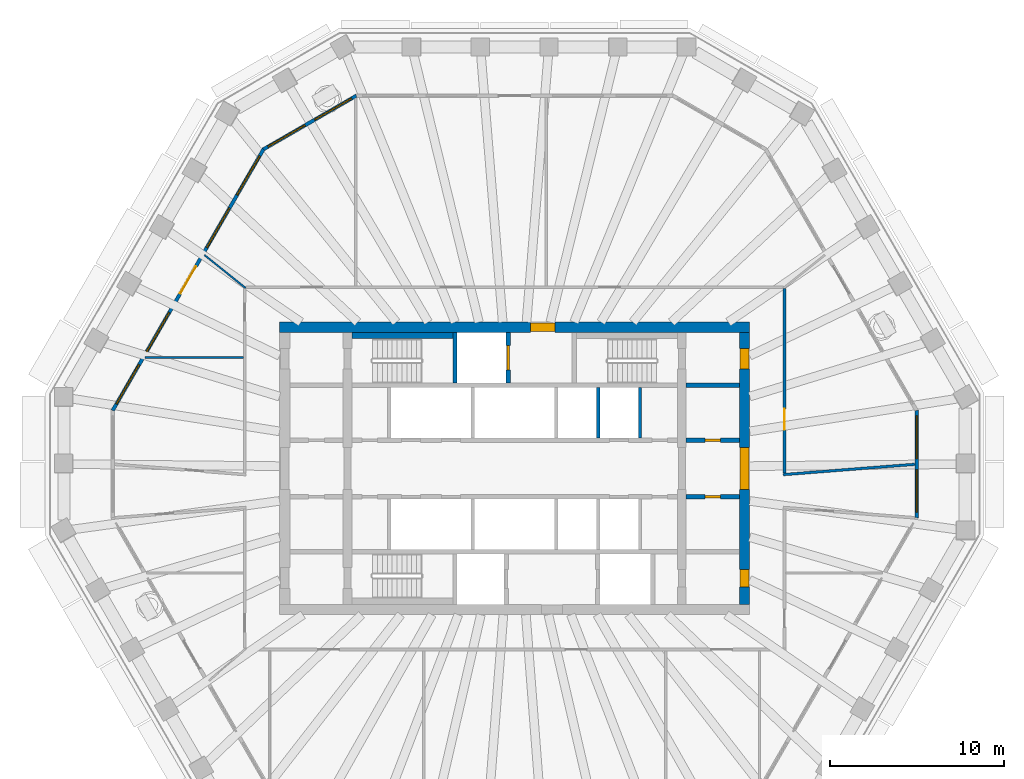
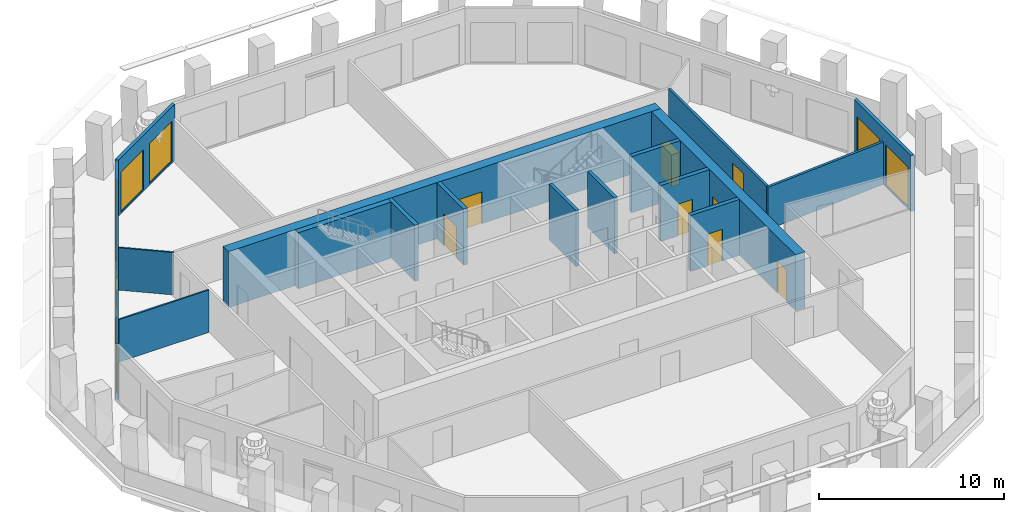
# One storey, part 6 of 12: 17 walls, 9 doors, 9 windows, 18 openings.
"""IFC4 building model written with IfcOpenShell, lengths in metres."""

from ifc_helpers import new_model, si_unit, direction, frame, frame_2d, origin, place, context, subcontext, project, spatial, polyline, rectangle, outline, extrude, material, layer, layer_set, type_object, element, fill, save


model = new_model("IFC4")

# Units and contexts
model_context = context("Model", 3, precision=1e-05, world=origin(), true_north=direction((0.0, 1.0)))
body_context = subcontext(model_context, "Body", "Model", "MODEL_VIEW")
ifc_project = project(units=[si_unit("LENGTHUNIT", "METRE"), si_unit("AREAUNIT", "SQUARE_METRE"), si_unit("VOLUMEUNIT", "CUBIC_METRE"), si_unit("PLANEANGLEUNIT", "RADIAN"), si_unit("MASSUNIT", "GRAM", prefix="KILO")], contexts=[model_context])

# Site, building, storey
site_placement = place(None, origin())
site = spatial("IfcSite", under=ifc_project, at=site_placement, CompositionType="ELEMENT")
building_placement = place(site_placement, origin())
building = spatial("IfcBuilding", under=site, at=building_placement, Name="Frailejon Research Tower", CompositionType="ELEMENT")
storey_placement = place(building_placement, frame((0.0, 0.0, 219.39990234375)))
storey = spatial("IfcBuildingStorey", under=building, at=storey_placement, Name="L47", CompositionType="ELEMENT", Elevation=219.39990234375)

# Wall, opening, door
ifc_material_1 = material(Name="Concrete C60/75", Category="concrete")
ifc_layer_1 = layer(ifc_material_1, 0.60009765625)
ifc_layer_set_1 = layer_set([ifc_layer_1], Name="Core shear wall 600 C60/75")
wall_type_1 = type_object("IfcWallType", Name="Core shear wall 600 C60/75", PredefinedType="SHEAR", material=ifc_layer_set_1)
wall_1_placement = place(storey_placement, frame((-13.5, 8.10009765625, 0.0), z_axis=(0.0, 0.0, 1.0), x_axis=(1.0, 0.0, 0.0)))
wall_1 = element("IfcWall", 1, at=wall_1_placement, inside=storey, type_object=wall_type_1, Name="Core shear wall", PredefinedType="SHEAR", context=body_context, shape_type="SweptSolid", body=[
    extrude(rectangle(XDim=27.0, YDim=0.60009765625, at=frame_2d((13.5, 0.0))), origin(), (0.0, 0.0, 1.0), 3.7001953125),
])
opening_1_placement = place(wall_1_placement, frame((14.425048828125, 0.0, 0.0)))
opening_1 = element("IfcOpeningElement", 2, at=opening_1_placement, cuts=wall_1, Name="Opening D9", PredefinedType="OPENING", context=body_context, shape_type="SweptSolid", body=[
    extrude(rectangle(XDim=1.39990234375, YDim=2.10009765625, at=frame_2d((0.699951171875, 1.050048828125))), frame((0.0, 0.31005859375, 0.0), z_axis=(0.0, -1.0, 0.0), x_axis=(1.0, 0.0, 0.0)), (0.0, 0.0, 1.0), 0.6201171875),
])
ifc_material_2 = material(Name="Steel", Category="steel")
door_type_1 = type_object("IfcDoorType", Name="Goods lobby door", OperationType="DOUBLE_DOOR_SINGLE_SWING", PredefinedType="DOOR", material=ifc_material_2)
door_1_placement = place(opening_1_placement, origin())
door_1 = element("IfcDoor", 3, at=door_1_placement, inside=storey, type_object=door_type_1, Name="Goods lobby door", OperationType="DOUBLE_DOOR_SINGLE_SWING", OverallHeight=2.10009765625, OverallWidth=1.39990234375, PredefinedType="DOOR", context=body_context, shape_type="SweptSolid", body=[
    extrude(rectangle(XDim=1.39990234375, YDim=2.10009765625, at=frame_2d((0.699951171875, 1.050048828125))), frame((0.0, 0.25, 0.0), z_axis=(0.0, -1.0, 0.0), x_axis=(1.0, 0.0, 0.0)), (0.0, 0.0, 1.0), 0.5),
])
fill(opening_1, door_1)

# Wall, openings, doors
wall_2_placement = place(storey_placement, frame((13.199951171875, -7.800048828125, 0.0), z_axis=(0.0, 0.0, 1.0), x_axis=(0.0, 1.0, 0.0)))
wall_2 = element("IfcWall", 4, at=wall_2_placement, inside=storey, type_object=wall_type_1, Name="Core shear wall", PredefinedType="SHEAR", context=body_context, shape_type="SweptSolid", body=[
    extrude(rectangle(XDim=15.60009765625, YDim=0.60009765625, at=frame_2d((7.800048828125, 0.0))), origin(), (0.0, 0.0, 1.0), 3.7001953125),
])
opening_2_placement = place(wall_2_placement, frame((6.60009765625, 0.0, 0.0)))
opening_2 = element("IfcOpeningElement", 5, at=opening_2_placement, cuts=wall_2, Name="Opening D2", PredefinedType="OPENING", context=body_context, shape_type="SweptSolid", body=[
    extrude(rectangle(XDim=2.39990234375, YDim=2.10009765625, at=frame_2d((1.199951171875, 1.050048828125))), frame((0.0, 0.31005859375, 0.0), z_axis=(0.0, -1.0, 0.0), x_axis=(1.0, 0.0, 0.0)), (0.0, 0.0, 1.0), 0.6201171875),
])
opening_3_placement = place(wall_2_placement, frame((13.5, 0.0, 0.0)))
opening_3 = element("IfcOpeningElement", 6, at=opening_3_placement, cuts=wall_2, Name="Opening D7", PredefinedType="OPENING", context=body_context, shape_type="SweptSolid", body=[
    extrude(rectangle(XDim=1.199951171875, YDim=2.10009765625, at=frame_2d((0.60009765625, 1.050048828125))), frame((0.0, 0.31005859375, 0.0), z_axis=(0.0, -1.0, 0.0), x_axis=(1.0, 0.0, 0.0)), (0.0, 0.0, 1.0), 0.6201171875),
])
opening_4_placement = place(wall_2_placement, frame((1.0, 0.0, 0.0)))
opening_4 = element("IfcOpeningElement", 7, at=opening_4_placement, cuts=wall_2, Name="Opening D4", PredefinedType="OPENING", context=body_context, shape_type="SweptSolid", body=[
    extrude(rectangle(XDim=1.0, YDim=2.10009765625, at=frame_2d((0.5, 1.050048828125))), frame((0.0, 0.31005859375, 0.0), z_axis=(0.0, -1.0, 0.0), x_axis=(1.0, 0.0, 0.0)), (0.0, 0.0, 1.0), 0.6201171875),
])
ifc_material_3 = material(Name="Steel", Category="steel")
door_type_2 = type_object("IfcDoorType", Name="Lobby double door", OperationType="DOUBLE_DOOR_SINGLE_SWING", PredefinedType="DOOR", material=ifc_material_3)
door_2_placement = place(opening_2_placement, origin())
door_2 = element("IfcDoor", 8, at=door_2_placement, inside=storey, type_object=door_type_2, Name="Lobby door", OperationType="DOUBLE_DOOR_SINGLE_SWING", OverallHeight=2.10009765625, OverallWidth=2.39990234375, PredefinedType="DOOR", context=body_context, shape_type="SweptSolid", body=[
    extrude(rectangle(XDim=2.39990234375, YDim=2.10009765625, at=frame_2d((1.199951171875, 1.050048828125))), frame((0.0, 0.25, 0.0), z_axis=(0.0, -1.0, 0.0), x_axis=(1.0, 0.0, 0.0)), (0.0, 0.0, 1.0), 0.5),
])
fill(opening_2, door_2)
ifc_material_4 = material(Name="Steel", Category="steel")
door_type_3 = type_object("IfcDoorType", Name="Service door", OperationType="SINGLE_SWING_LEFT", PredefinedType="DOOR", material=ifc_material_4)
door_3_placement = place(opening_4_placement, origin())
door_3 = element("IfcDoor", 9, at=door_3_placement, inside=storey, type_object=door_type_3, Name="Store door", OperationType="SINGLE_SWING_LEFT", OverallHeight=2.10009765625, OverallWidth=1.0, PredefinedType="DOOR", context=body_context, shape_type="SweptSolid", body=[
    extrude(rectangle(XDim=1.0, YDim=2.10009765625, at=frame_2d((0.5, 1.050048828125))), frame((0.0, 0.25, 0.0), z_axis=(0.0, -1.0, 0.0), x_axis=(1.0, 0.0, 0.0)), (0.0, 0.0, 1.0), 0.5),
])
fill(opening_4, door_3)
ifc_material_5 = material(Name="Steel", Category="steel")
door_type_4 = type_object("IfcDoorType", Name="Stair exit door", OperationType="SINGLE_SWING_LEFT", PredefinedType="DOOR", material=ifc_material_5)
door_4_placement = place(opening_3_placement, origin())
door_4 = element("IfcDoor", 10, at=door_4_placement, inside=storey, type_object=door_type_4, Name="Stair exit door ST3", OperationType="SINGLE_SWING_LEFT", OverallHeight=2.10009765625, OverallWidth=1.199951171875, PredefinedType="DOOR", context=body_context, shape_type="SweptSolid", body=[
    extrude(rectangle(XDim=1.199951171875, YDim=2.10009765625, at=frame_2d((0.60009765625, 1.050048828125))), frame((0.0, 0.25, 0.0), z_axis=(0.0, -1.0, 0.0), x_axis=(1.0, 0.0, 0.0)), (0.0, 0.0, 1.0), 0.5),
])
fill(opening_3, door_4)

# Wall, opening, door
ifc_material_6 = material(Name="Gypsum board and masonry partition", Category="masonry")
ifc_layer_2 = layer(ifc_material_6, 0.14990234375)
ifc_layer_set_2 = layer_set([ifc_layer_2], Name="Corridor wall EI 60, gypsum on steel studs 150")
wall_type_2 = type_object("IfcWallType", Name="Corridor wall EI 60, gypsum on steel studs 150", PredefinedType="PARTITIONING", material=ifc_layer_set_2)
wall_3_placement = place(storey_placement, frame((15.5, -0.275146484375, 0.0), z_axis=(0.0, 0.0, 1.0), x_axis=(0.0, 1.0, 0.0)))
wall_3 = element("IfcWall", 11, at=wall_3_placement, inside=storey, type_object=wall_type_2, Name="T:IW:L47:002", PredefinedType="PARTITIONING", context=body_context, shape_type="SweptSolid", body=[
    extrude(rectangle(XDim=10.60009765625, YDim=0.14990234375, at=frame_2d((5.300048828125, 0.0))), origin(), (0.0, 0.0, 1.0), 2.800048828125),
])
opening_5_placement = place(wall_3_placement, frame((2.487548828125, 0.0, 0.0)))
opening_5 = element("IfcOpeningElement", 12, at=opening_5_placement, cuts=wall_3, Name="Opening D1962", PredefinedType="OPENING", context=body_context, shape_type="SweptSolid", body=[
    extrude(rectangle(XDim=1.199951171875, YDim=2.10009765625, at=frame_2d((0.60009765625, 1.050048828125))), frame((0.0, 0.0849609375, 0.0), z_axis=(0.0, -1.0, 0.0), x_axis=(1.0, 0.0, 0.0)), (0.0, 0.0, 1.0), 0.169921875),
])
ifc_material_7 = material(Name="Timber door leaf", Category="wood")
door_type_5 = type_object("IfcDoorType", Name="Door single leaf, timber, steel frame 1200", OperationType="NOTDEFINED", PredefinedType="DOOR", material=ifc_material_7)
door_5_placement = place(opening_5_placement, origin())
door_5 = element("IfcDoor", 13, at=door_5_placement, inside=storey, type_object=door_type_5, Name="D1962", OperationType="DOUBLE_DOOR_SINGLE_SWING", OverallHeight=2.10009765625, OverallWidth=1.199951171875, PredefinedType="DOOR", context=body_context, shape_type="SweptSolid", body=[
    extrude(rectangle(XDim=1.199951171875, YDim=2.10009765625, at=frame_2d((0.60009765625, 1.050048828125))), frame((0.0, 0.02490234375, 0.0), z_axis=(0.0, -1.0, 0.0), x_axis=(1.0, 0.0, 0.0)), (0.0, 0.0, 1.0), 0.050048828125),
])
fill(opening_5, door_5)

# Walls
wall_4_placement = place(storey_placement, frame((15.42529296875, -0.356201171875, 0.0), z_axis=(0.0, 0.0, 1.0), x_axis=(0.996945465272, 0.078100827607, 0.0)))
element("IfcWall", 14, at=wall_4_placement, inside=storey, type_object=wall_type_2, Name="T:IW:L47:009", PredefinedType="PARTITIONING", context=body_context, shape_type="SweptSolid", body=[
    extrude(rectangle(XDim=7.577392578125, YDim=0.14990234375, at=frame_2d((3.78857421875, 0.0))), origin(), (0.0, 0.0, 1.0), 2.800048828125),
])
ifc_material_8 = material(Name="Gypsum board and masonry partition", Category="masonry")
ifc_layer_3 = layer(ifc_material_8, 0.10009765625)
ifc_layer_set_3 = layer_set([ifc_layer_3], Name="Partition, gypsum on steel studs 100")
wall_type_3 = type_object("IfcWallType", Name="Partition, gypsum on steel studs 100", PredefinedType="PARTITIONING", material=ifc_layer_set_3)
wall_5_placement = place(storey_placement, frame((-17.81103515625, 12.25341796875, 0.0), z_axis=(0.0, 0.0, 1.0), x_axis=(0.78011546614, -0.625635564438, 0.0)))
element("IfcWall", 15, at=wall_5_placement, inside=storey, type_object=wall_type_3, Name="T:IW:L47:016", PredefinedType="PARTITIONING", context=body_context, shape_type="SweptSolid", body=[
    extrude(rectangle(XDim=3.03759765625, YDim=0.10009765625, at=frame_2d((1.518798828125, 0.0))), origin(), (0.0, 0.0, 1.0), 2.800048828125),
])
wall_6_placement = place(storey_placement, frame((-21.211669921875, 6.363037109375, 0.0), z_axis=(0.0, 0.0, 1.0), x_axis=(1.0, 0.0, 0.0)))
element("IfcWall", 16, at=wall_6_placement, inside=storey, type_object=wall_type_3, Name="T:IW:L47:017", PredefinedType="PARTITIONING", context=body_context, shape_type="SweptSolid", body=[
    extrude(rectangle(XDim=5.63671875, YDim=0.10009765625, at=frame_2d((2.818359375, 0.0))), origin(), (0.0, 0.0, 1.0), 2.800048828125),
])
ifc_material_9 = material(Name="Concrete C60/75", Category="concrete")
ifc_layer_4 = layer(ifc_material_9, 0.199951171875)
ifc_layer_set_4 = layer_set([ifc_layer_4], Name="Shaft wall 200 C60/75")
wall_type_4 = type_object("IfcWallType", Name="Shaft wall 200 C60/75", PredefinedType="SOLIDWALL", material=ifc_layer_set_4)
for number, where, z_axis, x_axis, name in (
    (17, (4.800048828125, 1.75, 0.0), (0.0, 0.0, 1.0), (0.0, 1.0, 0.0), "Shaft wall"),
    (18, (7.199951171875, 1.75, 0.0), (0.0, 0.0, 1.0), (0.0, 1.0, 0.0), "Shaft wall"),
):
    element("IfcWall", number, at=place(storey_placement, frame(where, z_axis=z_axis, x_axis=x_axis)), inside=storey, type_object=wall_type_4, Name=name, PredefinedType="SOLIDWALL", context=body_context, shape_type="SweptSolid", body=[
        extrude(rectangle(XDim=2.89990234375, YDim=0.199951171875, at=frame_2d((1.449951171875, 0.0))), origin(), (0.0, 0.0, 1.0), 3.7001953125),
    ])

# Wall, opening, door
ifc_material_10 = material(Name="Concrete C60/75", Category="concrete")
ifc_layer_5 = layer(ifc_material_10, 0.25)
ifc_layer_set_5 = layer_set([ifc_layer_5], Name="Shaft wall 250 C60/75")
wall_type_5 = type_object("IfcWallType", Name="Shaft wall 250 C60/75", PredefinedType="SOLIDWALL", material=ifc_layer_set_5)
wall_7_placement = place(storey_placement, frame((9.85009765625, 1.625, 0.0), z_axis=(0.0, 0.0, 1.0), x_axis=(1.0, 0.0, 0.0)))
wall_7 = element("IfcWall", 19, at=wall_7_placement, inside=storey, type_object=wall_type_5, Name="Shaft wall", PredefinedType="SOLIDWALL", context=body_context, shape_type="SweptSolid", body=[
    extrude(rectangle(XDim=3.0498046875, YDim=0.25, at=frame_2d((1.52490234375, 0.0))), origin(), (0.0, 0.0, 1.0), 3.7001953125),
])
opening_6_placement = place(wall_7_placement, frame((1.074951171875, 0.0, 0.0)))
opening_6 = element("IfcOpeningElement", 20, at=opening_6_placement, cuts=wall_7, Name="Opening D8", PredefinedType="OPENING", context=body_context, shape_type="SweptSolid", body=[
    extrude(rectangle(XDim=0.89990234375, YDim=2.10009765625, at=frame_2d((0.449951171875, 1.050048828125))), frame((0.0, 0.135009765625, 0.0), z_axis=(0.0, -1.0, 0.0), x_axis=(1.0, 0.0, 0.0)), (0.0, 0.0, 1.0), 0.27001953125),
])
ifc_material_11 = material(Name="Steel", Category="steel")
door_type_6 = type_object("IfcDoorType", Name="Core room door", OperationType="SINGLE_SWING_LEFT", PredefinedType="DOOR", material=ifc_material_11)
door_6_placement = place(opening_6_placement, origin())
door_6 = element("IfcDoor", 21, at=door_6_placement, inside=storey, type_object=door_type_6, Name="Room door", OperationType="SINGLE_SWING_LEFT", OverallHeight=2.10009765625, OverallWidth=0.89990234375, PredefinedType="DOOR", context=body_context, shape_type="SweptSolid", body=[
    extrude(rectangle(XDim=0.89990234375, YDim=2.10009765625, at=frame_2d((0.449951171875, 1.050048828125))), frame((0.0, 0.074951171875, 0.0), z_axis=(0.0, -1.0, 0.0), x_axis=(1.0, 0.0, 0.0)), (0.0, 0.0, 1.0), 0.14990234375),
])
fill(opening_6, door_6)

# Wall
wall_8_placement = place(storey_placement, frame((9.85009765625, 4.77490234375, 0.0), z_axis=(0.0, 0.0, 1.0), x_axis=(1.0, 0.0, 0.0)))
element("IfcWall", 22, at=wall_8_placement, inside=storey, type_object=wall_type_5, Name="Shaft wall", PredefinedType="SOLIDWALL", context=body_context, shape_type="SweptSolid", body=[
    extrude(rectangle(XDim=3.0498046875, YDim=0.25, at=frame_2d((1.52490234375, 0.0))), origin(), (0.0, 0.0, 1.0), 3.7001953125),
])

# Wall, opening, door
wall_9_placement = place(storey_placement, frame((9.85009765625, -1.625, 0.0), z_axis=(0.0, 0.0, 1.0), x_axis=(1.0, 0.0, 0.0)))
wall_9 = element("IfcWall", 23, at=wall_9_placement, inside=storey, type_object=wall_type_5, Name="Shaft wall", PredefinedType="SOLIDWALL", context=body_context, shape_type="SweptSolid", body=[
    extrude(rectangle(XDim=3.0498046875, YDim=0.25, at=frame_2d((1.52490234375, 0.0))), origin(), (0.0, 0.0, 1.0), 3.7001953125),
])
opening_7_placement = place(wall_9_placement, frame((1.074951171875, 0.0, 0.0)))
opening_7 = element("IfcOpeningElement", 24, at=opening_7_placement, cuts=wall_9, Name="Opening D8", PredefinedType="OPENING", context=body_context, shape_type="SweptSolid", body=[
    extrude(rectangle(XDim=0.89990234375, YDim=2.10009765625, at=frame_2d((0.449951171875, 1.050048828125))), frame((0.0, 0.135009765625, 0.0), z_axis=(0.0, -1.0, 0.0), x_axis=(1.0, 0.0, 0.0)), (0.0, 0.0, 1.0), 0.27001953125),
])
door_7_placement = place(opening_7_placement, origin())
door_7 = element("IfcDoor", 25, at=door_7_placement, inside=storey, type_object=door_type_6, Name="Room door", OperationType="SINGLE_SWING_LEFT", OverallHeight=2.10009765625, OverallWidth=0.89990234375, PredefinedType="DOOR", context=body_context, shape_type="SweptSolid", body=[
    extrude(rectangle(XDim=0.89990234375, YDim=2.10009765625, at=frame_2d((0.449951171875, 1.050048828125))), frame((0.0, 0.074951171875, 0.0), z_axis=(0.0, -1.0, 0.0), x_axis=(1.0, 0.0, 0.0)), (0.0, 0.0, 1.0), 0.14990234375),
])
fill(opening_7, door_7)

# Wall
wall_10_placement = place(storey_placement, frame((-3.425048828125, 4.89990234375, 0.0), z_axis=(0.0, 0.0, 1.0), x_axis=(0.0, 1.0, 0.0)))
element("IfcWall", 26, at=wall_10_placement, inside=storey, type_object=wall_type_5, Name="Shaft wall", PredefinedType="SOLIDWALL", context=body_context, shape_type="SweptSolid", body=[
    extrude(rectangle(XDim=2.900146484375, YDim=0.25, at=frame_2d((1.4501953125, 0.0))), origin(), (0.0, 0.0, 1.0), 3.7001953125),
])

# Wall, opening, door
wall_11_placement = place(storey_placement, frame((-0.375, 4.89990234375, 0.0), z_axis=(0.0, 0.0, 1.0), x_axis=(0.0, 1.0, 0.0)))
wall_11 = element("IfcWall", 27, at=wall_11_placement, inside=storey, type_object=wall_type_5, Name="Shaft wall", PredefinedType="SOLIDWALL", context=body_context, shape_type="SweptSolid", body=[
    extrude(rectangle(XDim=2.900146484375, YDim=0.25, at=frame_2d((1.4501953125, 0.0))), origin(), (0.0, 0.0, 1.0), 3.7001953125),
])
opening_8_placement = place(wall_11_placement, frame((0.75, 0.0, 0.0)))
opening_8 = element("IfcOpeningElement", 28, at=opening_8_placement, cuts=wall_11, Name="Opening LD2", PredefinedType="OPENING", context=body_context, shape_type="SweptSolid", body=[
    extrude(rectangle(XDim=1.39990234375, YDim=2.10009765625, at=frame_2d((0.699951171875, 1.050048828125))), frame((0.0, 0.135009765625, 0.0), z_axis=(0.0, -1.0, 0.0), x_axis=(1.0, 0.0, 0.0)), (0.0, 0.0, 1.0), 0.27001953125),
])
ifc_material_12 = material(Name="Stainless steel", Category="steel")
door_type_7 = type_object("IfcDoorType", Name="Goods landing door", OperationType="DOUBLE_DOOR_SLIDING", PredefinedType="DOOR", material=ifc_material_12)
door_8_placement = place(opening_8_placement, origin())
door_8 = element("IfcDoor", 29, at=door_8_placement, inside=storey, type_object=door_type_7, Name="Lift landing door", OperationType="DOUBLE_DOOR_SLIDING", OverallHeight=2.10009765625, OverallWidth=1.39990234375, PredefinedType="DOOR", context=body_context, shape_type="SweptSolid", body=[
    extrude(rectangle(XDim=1.39990234375, YDim=2.10009765625, at=frame_2d((0.699951171875, 1.050048828125))), frame((0.0, 0.074951171875, 0.0), z_axis=(0.0, -1.0, 0.0), x_axis=(1.0, 0.0, 0.0)), (0.0, 0.0, 1.0), 0.14990234375),
])
fill(opening_8, door_8)

# Wall
ifc_material_13 = material(Name="Concrete C60/75", Category="concrete")
ifc_layer_6 = layer(ifc_material_13, 0.35009765625)
ifc_layer_set_6 = layer_set([ifc_layer_6], Name="Shaft wall 350 C60/75")
wall_type_6 = type_object("IfcWallType", Name="Shaft wall 350 C60/75", PredefinedType="SOLIDWALL", material=ifc_layer_set_6)
wall_12_placement = place(storey_placement, frame((-9.35009765625, 7.625, 0.0), z_axis=(0.0, 0.0, 1.0), x_axis=(1.0, 0.0, 0.0)))
element("IfcWall", 30, at=wall_12_placement, inside=storey, type_object=wall_type_6, Name="Shaft wall", PredefinedType="SOLIDWALL", context=body_context, shape_type="SweptSolid", body=[
    extrude(rectangle(XDim=5.800048828125, YDim=0.35009765625, at=frame_2d((2.89990234375, 0.0))), origin(), (0.0, 0.0, 1.0), 3.7001953125),
])

# Wall, openings, windows
ifc_material_14 = material(Name="Concrete C40/50 precast window wall panel", Category="concrete")
ifc_layer_7 = layer(ifc_material_14, 0.199951171875)
ifc_layer_set_7 = layer_set([ifc_layer_7], Name="Window wall 200")
wall_type_7 = type_object("IfcWallType", Name="Window wall 200", PredefinedType="SOLIDWALL", material=ifc_layer_set_7)
wall_13_placement = place(storey_placement, frame((23.07958984375, -2.8251953125, 0.0), z_axis=(0.0, 0.0, 1.0), x_axis=(0.0, 1.0, 0.0)))
wall_13 = element("IfcWall", 31, at=wall_13_placement, inside=storey, type_object=wall_type_7, Name="Exterior wall L47", PredefinedType="SOLIDWALL", context=body_context, shape_type="SweptSolid", body=[
    extrude(outline(polyline([(-0.02685546875, -0.10009765625), (1.007568359375, -0.10009765625), (2.0419921875, -0.10009765625), (3.07666015625, -0.10009765625), (4.111083984375, -0.10009765625), (5.1455078125, -0.10009765625), (6.179931640625, -0.10009765625), (6.126220703125, 0.10009765625), (5.109619140625, 0.10009765625), (4.093017578125, 0.10009765625), (3.07666015625, 0.10009765625), (2.06005859375, 0.10009765625), (1.04345703125, 0.10009765625), (0.02685546875, 0.10009765625), (-0.02685546875, -0.10009765625)])), origin(), (0.0, 0.0, 1.0), 3.7001953125),
])
opening_9_placement = place(wall_13_placement, frame((0.313232421875, 0.0, 0.10009765625)))
opening_9 = element("IfcOpeningElement", 32, at=opening_9_placement, cuts=wall_13, Name="Opening W17", PredefinedType="OPENING", context=body_context, shape_type="SweptSolid", body=[
    extrude(rectangle(XDim=2.449951171875, YDim=2.64990234375, at=frame_2d((1.22509765625, 1.324951171875))), frame((0.0, 0.10986328125, 0.0), z_axis=(0.0, -1.0, 0.0), x_axis=(1.0, 0.0, 0.0)), (0.0, 0.0, 1.0), 0.219970703125),
])
opening_10_placement = place(wall_13_placement, frame((3.3896484375, 0.0, 0.10009765625)))
opening_10 = element("IfcOpeningElement", 33, at=opening_10_placement, cuts=wall_13, Name="Opening W17", PredefinedType="OPENING", context=body_context, shape_type="SweptSolid", body=[
    extrude(rectangle(XDim=2.449951171875, YDim=2.64990234375, at=frame_2d((1.22509765625, 1.324951171875))), frame((0.0, 0.10986328125, 0.0), z_axis=(0.0, -1.0, 0.0), x_axis=(1.0, 0.0, 0.0)), (0.0, 0.0, 1.0), 0.219970703125),
])
ifc_material_15 = material(Name="Aluminium framed double glazing", Category="aluminium")
window_type_1 = type_object("IfcWindowType", Name="Window 2450x2650", PartitioningType="SINGLE_PANEL", PredefinedType="WINDOW", material=ifc_material_15)
window_1_placement = place(opening_9_placement, origin())
window_1 = element("IfcWindow", 34, at=window_1_placement, inside=storey, type_object=window_type_1, Name="Window L47", OverallHeight=2.64990234375, OverallWidth=2.449951171875, PartitioningType="SINGLE_PANEL", PredefinedType="WINDOW", context=body_context, shape_type="SweptSolid", body=[
    extrude(rectangle(XDim=2.449951171875, YDim=2.64990234375, at=frame_2d((1.22509765625, 1.324951171875))), frame((0.0, 0.030029296875, 0.0), z_axis=(0.0, -1.0, 0.0), x_axis=(1.0, 0.0, 0.0)), (0.0, 0.0, 1.0), 0.06005859375),
])
fill(opening_9, window_1)
window_2_placement = place(opening_10_placement, origin())
window_2 = element("IfcWindow", 35, at=window_2_placement, inside=storey, type_object=window_type_1, Name="Window L47", OverallHeight=2.64990234375, OverallWidth=2.449951171875, PartitioningType="SINGLE_PANEL", PredefinedType="WINDOW", context=body_context, shape_type="SweptSolid", body=[
    extrude(rectangle(XDim=2.449951171875, YDim=2.64990234375, at=frame_2d((1.22509765625, 1.324951171875))), frame((0.0, 0.030029296875, 0.0), z_axis=(0.0, -1.0, 0.0), x_axis=(1.0, 0.0, 0.0)), (0.0, 0.0, 1.0), 0.06005859375),
])
fill(opening_10, window_2)

wall_14_placement = place(storey_placement, frame((-9.09326171875, 21.39990234375, 0.0), z_axis=(0.0, 0.0, 1.0), x_axis=(-0.866029647142, -0.499992650217, 0.0)))
wall_14 = element("IfcWall", 36, at=wall_14_placement, inside=storey, type_object=wall_type_7, Name="Exterior wall L47", PredefinedType="SOLIDWALL", context=body_context, shape_type="SweptSolid", body=[
    extrude(outline(polyline([(-0.02685546875, -0.10009765625), (1.007568359375, -0.10009765625), (2.0419921875, -0.10009765625), (3.076416015625, -0.10009765625), (4.11083984375, -0.10009765625), (5.145263671875, -0.10009765625), (6.1796875, -0.10009765625), (6.1259765625, 0.10009765625), (5.109375, 0.10009765625), (4.093017578125, 0.10009765625), (3.076416015625, 0.10009765625), (2.059814453125, 0.10009765625), (1.04345703125, 0.10009765625), (0.02685546875, 0.10009765625), (-0.02685546875, -0.10009765625)])), origin(), (0.0, 0.0, 1.0), 3.7001953125),
])
opening_11_placement = place(wall_14_placement, frame((0.313232421875, 0.0, 0.10009765625)))
opening_11 = element("IfcOpeningElement", 37, at=opening_11_placement, cuts=wall_14, Name="Opening W17", PredefinedType="OPENING", context=body_context, shape_type="SweptSolid", body=[
    extrude(rectangle(XDim=2.449951171875, YDim=2.64990234375, at=frame_2d((1.22509765625, 1.324951171875))), frame((0.0, 0.10986328125, 0.0), z_axis=(0.0, -1.0, 0.0), x_axis=(1.0, 0.0, 0.0)), (0.0, 0.0, 1.0), 0.219970703125),
])
opening_12_placement = place(wall_14_placement, frame((3.3896484375, 0.0, 0.10009765625)))
opening_12 = element("IfcOpeningElement", 38, at=opening_12_placement, cuts=wall_14, Name="Opening W17", PredefinedType="OPENING", context=body_context, shape_type="SweptSolid", body=[
    extrude(rectangle(XDim=2.449951171875, YDim=2.64990234375, at=frame_2d((1.22509765625, 1.324951171875))), frame((0.0, 0.10986328125, 0.0), z_axis=(0.0, -1.0, 0.0), x_axis=(1.0, 0.0, 0.0)), (0.0, 0.0, 1.0), 0.219970703125),
])
window_3_placement = place(opening_11_placement, origin())
window_3 = element("IfcWindow", 39, at=window_3_placement, inside=storey, type_object=window_type_1, Name="Window L47", OverallHeight=2.64990234375, OverallWidth=2.449951171875, PartitioningType="SINGLE_PANEL", PredefinedType="WINDOW", context=body_context, shape_type="SweptSolid", body=[
    extrude(rectangle(XDim=2.449951171875, YDim=2.64990234375, at=frame_2d((1.22509765625, 1.324951171875))), frame((0.0, 0.030029296875, 0.0), z_axis=(0.0, -1.0, 0.0), x_axis=(1.0, 0.0, 0.0)), (0.0, 0.0, 1.0), 0.06005859375),
])
fill(opening_11, window_3)
window_4_placement = place(opening_12_placement, origin())
window_4 = element("IfcWindow", 40, at=window_4_placement, inside=storey, type_object=window_type_1, Name="Window L47", OverallHeight=2.64990234375, OverallWidth=2.449951171875, PartitioningType="SINGLE_PANEL", PredefinedType="WINDOW", context=body_context, shape_type="SweptSolid", body=[
    extrude(rectangle(XDim=2.449951171875, YDim=2.64990234375, at=frame_2d((1.22509765625, 1.324951171875))), frame((0.0, 0.030029296875, 0.0), z_axis=(0.0, -1.0, 0.0), x_axis=(1.0, 0.0, 0.0)), (0.0, 0.0, 1.0), 0.06005859375),
])
fill(opening_12, window_4)

# Wall, openings, door, windows
wall_15_placement = place(storey_placement, frame((-14.421875, 18.323486328125, 0.0), z_axis=(0.0, 0.0, 1.0), x_axis=(-0.499999912926, -0.866025454057, 0.0)))
wall_15 = element("IfcWall", 41, at=wall_15_placement, inside=storey, type_object=wall_type_7, Name="Exterior wall L47", PredefinedType="SOLIDWALL", context=body_context, shape_type="SweptSolid", body=[
    extrude(outline(polyline([(-0.02685546875, -0.10009765625), (0.994873046875, -0.10009765625), (2.0166015625, -0.10009765625), (3.038330078125, -0.10009765625), (4.06005859375, -0.10009765625), (5.081787109375, -0.10009765625), (6.103515625, -0.10009765625), (7.125244140625, -0.10009765625), (8.14697265625, -0.10009765625), (9.16845703125, -0.10009765625), (10.190185546875, -0.10009765625), (11.2119140625, -0.10009765625), (12.233642578125, -0.10009765625), (13.25537109375, -0.10009765625), (14.277099609375, -0.10009765625), (15.298828125, -0.10009765625), (16.320556640625, -0.10009765625), (17.34228515625, -0.10009765625), (17.28857421875, 0.10009765625), (16.273193359375, 0.10009765625), (15.2578125, 0.10009765625), (14.242431640625, 0.10009765625), (13.22705078125, 0.10009765625), (12.211669921875, 0.10009765625), (11.1962890625, 0.10009765625), (10.180908203125, 0.10009765625), (9.16552734375, 0.10009765625), (8.14990234375, 0.10009765625), (7.134521484375, 0.10009765625), (6.119140625, 0.10009765625), (5.103759765625, 0.10009765625), (4.08837890625, 0.10009765625), (3.072998046875, 0.10009765625), (2.0576171875, 0.10009765625), (1.042236328125, 0.10009765625), (0.02685546875, 0.10009765625), (-0.02685546875, -0.10009765625)])), origin(), (0.0, 0.0, 1.0), 3.7001953125),
])
opening_13_placement = place(wall_15_placement, frame((0.431640625, 0.0, 0.10009765625)))
opening_13 = element("IfcOpeningElement", 42, at=opening_13_placement, cuts=wall_15, Name="Opening W18", PredefinedType="OPENING", context=body_context, shape_type="SweptSolid", body=[
    extrude(rectangle(XDim=2.60009765625, YDim=2.64990234375, at=frame_2d((1.300048828125, 1.324951171875))), frame((0.0, 0.10986328125, 0.0), z_axis=(0.0, -1.0, 0.0), x_axis=(1.0, 0.0, 0.0)), (0.0, 0.0, 1.0), 0.219970703125),
])
opening_14_placement = place(wall_15_placement, frame((3.894775390625, 0.0, 0.10009765625)))
opening_14 = element("IfcOpeningElement", 43, at=opening_14_placement, cuts=wall_15, Name="Opening W18", PredefinedType="OPENING", context=body_context, shape_type="SweptSolid", body=[
    extrude(rectangle(XDim=2.60009765625, YDim=2.64990234375, at=frame_2d((1.300048828125, 1.324951171875))), frame((0.0, 0.10986328125, 0.0), z_axis=(0.0, -1.0, 0.0), x_axis=(1.0, 0.0, 0.0)), (0.0, 0.0, 1.0), 0.219970703125),
])
opening_15_placement = place(wall_15_placement, frame((7.7578125, 0.0, 0.0)))
opening_15 = element("IfcOpeningElement", 44, at=opening_15_placement, cuts=wall_15, Name="Opening LG47-3", PredefinedType="OPENING", context=body_context, shape_type="SweptSolid", body=[
    extrude(rectangle(XDim=1.800048828125, YDim=2.39990234375, at=frame_2d((0.89990234375, 1.199951171875))), frame((0.0, 0.10986328125, 0.0), z_axis=(0.0, -1.0, 0.0), x_axis=(1.0, 0.0, 0.0)), (0.0, 0.0, 1.0), 0.219970703125),
])
opening_16_placement = place(wall_15_placement, frame((7.7578125, 0.0, 2.550048828125)))
opening_16 = element("IfcOpeningElement", 45, at=opening_16_placement, cuts=wall_15, Name="Opening W19", PredefinedType="OPENING", context=body_context, shape_type="SweptSolid", body=[
    extrude(rectangle(XDim=1.800048828125, YDim=0.199951171875, at=frame_2d((0.89990234375, 0.10009765625))), frame((0.0, 0.10986328125, 0.0), z_axis=(0.0, -1.0, 0.0), x_axis=(1.0, 0.0, 0.0)), (0.0, 0.0, 1.0), 0.219970703125),
])
opening_17_placement = place(wall_15_placement, frame((10.82080078125, 0.0, 0.10009765625)))
opening_17 = element("IfcOpeningElement", 46, at=opening_17_placement, cuts=wall_15, Name="Opening W18", PredefinedType="OPENING", context=body_context, shape_type="SweptSolid", body=[
    extrude(rectangle(XDim=2.60009765625, YDim=2.64990234375, at=frame_2d((1.300048828125, 1.324951171875))), frame((0.0, 0.10986328125, 0.0), z_axis=(0.0, -1.0, 0.0), x_axis=(1.0, 0.0, 0.0)), (0.0, 0.0, 1.0), 0.219970703125),
])
opening_18_placement = place(wall_15_placement, frame((14.283935546875, 0.0, 0.10009765625)))
opening_18 = element("IfcOpeningElement", 47, at=opening_18_placement, cuts=wall_15, Name="Opening W18", PredefinedType="OPENING", context=body_context, shape_type="SweptSolid", body=[
    extrude(rectangle(XDim=2.60009765625, YDim=2.64990234375, at=frame_2d((1.300048828125, 1.324951171875))), frame((0.0, 0.10986328125, 0.0), z_axis=(0.0, -1.0, 0.0), x_axis=(1.0, 0.0, 0.0)), (0.0, 0.0, 1.0), 0.219970703125),
])
ifc_material_16 = material(Name="Aluminium framed glazed door leaf", Category="aluminium")
door_type_8 = type_object("IfcDoorType", Name="Loggia door 1800x2400", OperationType="DOUBLE_DOOR_SINGLE_SWING", PredefinedType="DOOR", material=ifc_material_16)
door_9_placement = place(opening_15_placement, origin())
door_9 = element("IfcDoor", 48, at=door_9_placement, inside=storey, type_object=door_type_8, Name="Door LG47-3", OperationType="DOUBLE_DOOR_SINGLE_SWING", OverallHeight=2.39990234375, OverallWidth=1.800048828125, PredefinedType="DOOR", context=body_context, shape_type="SweptSolid", body=[
    extrude(rectangle(XDim=1.800048828125, YDim=2.39990234375, at=frame_2d((0.89990234375, 1.199951171875))), frame((0.0, 0.02490234375, 0.0), z_axis=(0.0, -1.0, 0.0), x_axis=(1.0, 0.0, 0.0)), (0.0, 0.0, 1.0), 0.050048828125),
])
fill(opening_15, door_9)
ifc_material_17 = material(Name="Aluminium framed double glazing", Category="aluminium")
window_type_2 = type_object("IfcWindowType", Name="Window 1800x200", PartitioningType="SINGLE_PANEL", PredefinedType="WINDOW", material=ifc_material_17)
window_5_placement = place(opening_16_placement, origin())
window_5 = element("IfcWindow", 49, at=window_5_placement, inside=storey, type_object=window_type_2, Name="Window L47", OverallHeight=0.199951171875, OverallWidth=1.800048828125, PartitioningType="SINGLE_PANEL", PredefinedType="WINDOW", context=body_context, shape_type="SweptSolid", body=[
    extrude(rectangle(XDim=1.800048828125, YDim=0.199951171875, at=frame_2d((0.89990234375, 0.10009765625))), frame((0.0, 0.030029296875, 0.0), z_axis=(0.0, -1.0, 0.0), x_axis=(1.0, 0.0, 0.0)), (0.0, 0.0, 1.0), 0.06005859375),
])
fill(opening_16, window_5)
ifc_material_18 = material(Name="Aluminium framed double glazing", Category="aluminium")
window_type_3 = type_object("IfcWindowType", Name="Window 2600x2650", PartitioningType="SINGLE_PANEL", PredefinedType="WINDOW", material=ifc_material_18)
window_6_placement = place(opening_13_placement, origin())
window_6 = element("IfcWindow", 50, at=window_6_placement, inside=storey, type_object=window_type_3, Name="Window L47", OverallHeight=2.64990234375, OverallWidth=2.60009765625, PartitioningType="SINGLE_PANEL", PredefinedType="WINDOW", context=body_context, shape_type="SweptSolid", body=[
    extrude(rectangle(XDim=2.60009765625, YDim=2.64990234375, at=frame_2d((1.300048828125, 1.324951171875))), frame((0.0, 0.030029296875, 0.0), z_axis=(0.0, -1.0, 0.0), x_axis=(1.0, 0.0, 0.0)), (0.0, 0.0, 1.0), 0.06005859375),
])
fill(opening_13, window_6)
window_7_placement = place(opening_14_placement, origin())
window_7 = element("IfcWindow", 51, at=window_7_placement, inside=storey, type_object=window_type_3, Name="Window L47", OverallHeight=2.64990234375, OverallWidth=2.60009765625, PartitioningType="SINGLE_PANEL", PredefinedType="WINDOW", context=body_context, shape_type="SweptSolid", body=[
    extrude(rectangle(XDim=2.60009765625, YDim=2.64990234375, at=frame_2d((1.300048828125, 1.324951171875))), frame((0.0, 0.030029296875, 0.0), z_axis=(0.0, -1.0, 0.0), x_axis=(1.0, 0.0, 0.0)), (0.0, 0.0, 1.0), 0.06005859375),
])
fill(opening_14, window_7)
window_8_placement = place(opening_17_placement, origin())
window_8 = element("IfcWindow", 52, at=window_8_placement, inside=storey, type_object=window_type_3, Name="Window L47", OverallHeight=2.64990234375, OverallWidth=2.60009765625, PartitioningType="SINGLE_PANEL", PredefinedType="WINDOW", context=body_context, shape_type="SweptSolid", body=[
    extrude(rectangle(XDim=2.60009765625, YDim=2.64990234375, at=frame_2d((1.300048828125, 1.324951171875))), frame((0.0, 0.030029296875, 0.0), z_axis=(0.0, -1.0, 0.0), x_axis=(1.0, 0.0, 0.0)), (0.0, 0.0, 1.0), 0.06005859375),
])
fill(opening_17, window_8)
window_9_placement = place(opening_18_placement, origin())
window_9 = element("IfcWindow", 53, at=window_9_placement, inside=storey, type_object=window_type_3, Name="Window L47", OverallHeight=2.64990234375, OverallWidth=2.60009765625, PartitioningType="SINGLE_PANEL", PredefinedType="WINDOW", context=body_context, shape_type="SweptSolid", body=[
    extrude(rectangle(XDim=2.60009765625, YDim=2.64990234375, at=frame_2d((1.300048828125, 1.324951171875))), frame((0.0, 0.030029296875, 0.0), z_axis=(0.0, -1.0, 0.0), x_axis=(1.0, 0.0, 0.0)), (0.0, 0.0, 1.0), 0.06005859375),
])
fill(opening_18, window_9)

save(model, "model.ifc")
